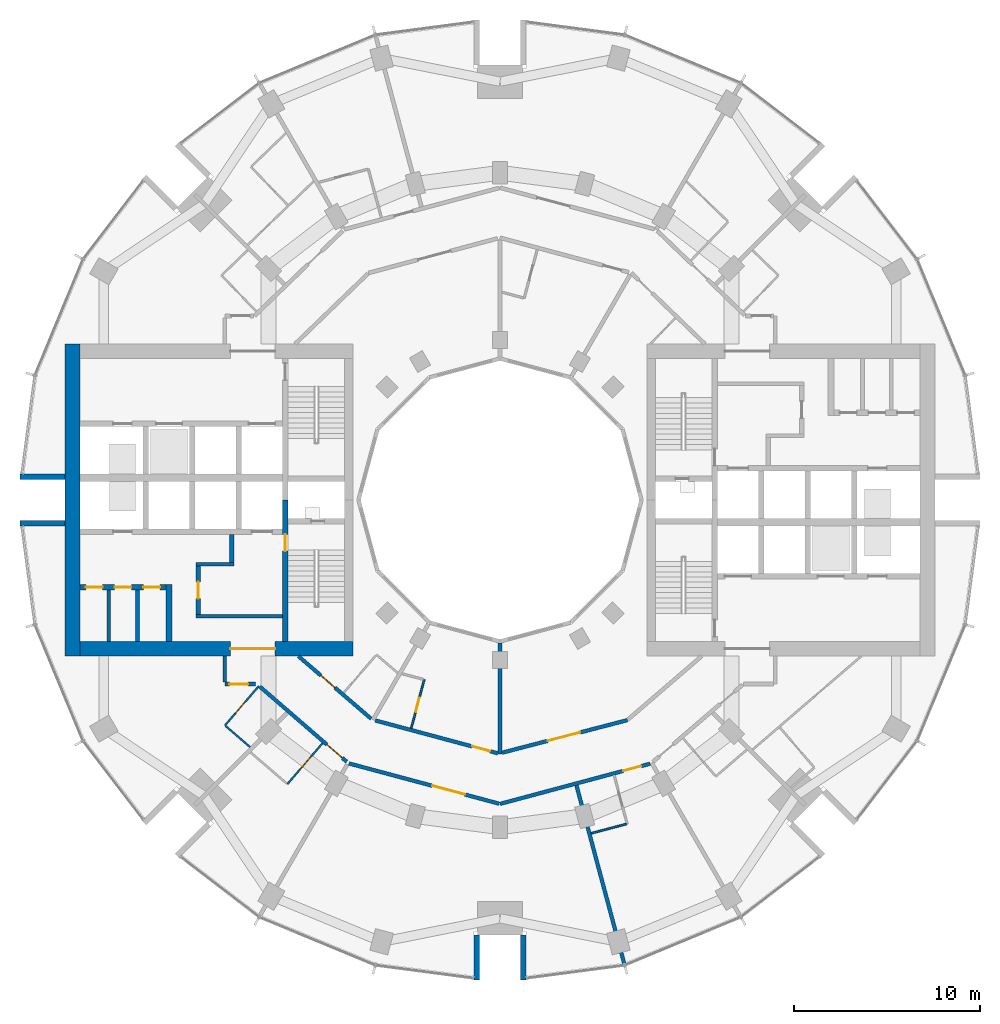
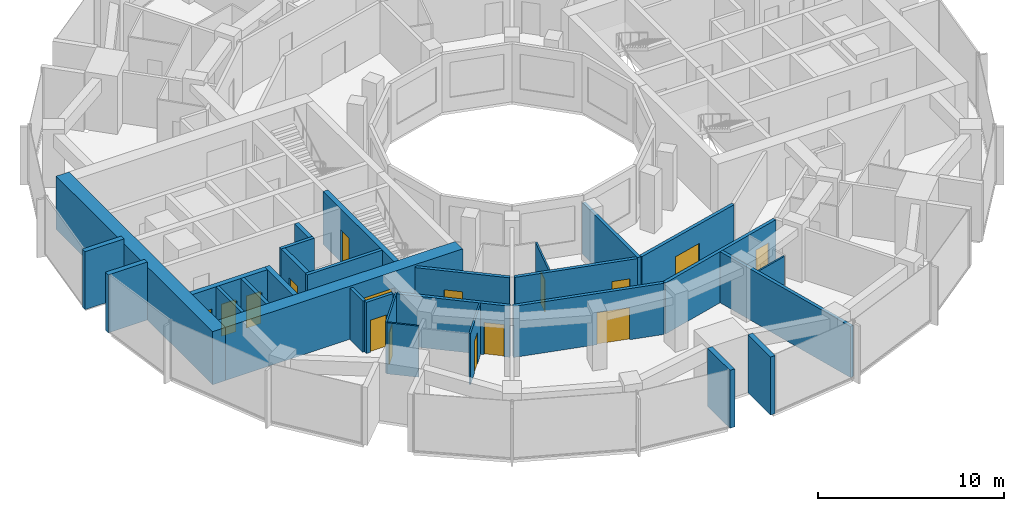
# One storey, part 8 of 15: 30 walls, 16 doors, 16 openings.
"""IFC4 building model written with IfcOpenShell, lengths in metres."""

from ifc_helpers import new_model, si_unit, direction, frame, frame_2d, origin, place, context, subcontext, project, spatial, rectangle, extrude, material, layer, layer_set, type_object, element, fill, save


model = new_model("IFC4")

# Units and contexts
model_context = context("Model", 3, precision=1e-05, world=origin(), true_north=direction((0.0, 1.0)))
body_context = subcontext(model_context, "Body", "Model", "MODEL_VIEW")
ifc_project = project(units=[si_unit("LENGTHUNIT", "METRE"), si_unit("AREAUNIT", "SQUARE_METRE"), si_unit("VOLUMEUNIT", "CUBIC_METRE"), si_unit("PLANEANGLEUNIT", "RADIAN"), si_unit("MASSUNIT", "GRAM", prefix="KILO")], contexts=[model_context])

# Site, building, storey
site_placement = place(None, origin())
site = spatial("IfcSite", under=ifc_project, at=site_placement, CompositionType="ELEMENT")
building_placement = place(site_placement, origin())
building = spatial("IfcBuilding", under=site, at=building_placement, Name="Torre Brocal", CompositionType="ELEMENT")
storey_placement = place(building_placement, frame((0.0, 0.0, 93.800048828125)))
storey = spatial("IfcBuildingStorey", under=building, at=storey_placement, Name="L21", CompositionType="ELEMENT", Elevation=93.800048828125)

# Walls
ifc_material_1 = material(Name="Masonry block", Category="masonry")
ifc_layer_1 = layer(ifc_material_1, 0.199951171875)
ifc_layer_set_1 = layer_set([ifc_layer_1], Name="Masonry block")
wall_type_1 = type_object("IfcWallType", Name="CORE PARTITION 200", PredefinedType="PARTITIONING", material=ifc_layer_set_1)
for number, where, z_axis, x_axis, name in (
    (1, (60.5, 70.14990234375, 0.0), (0.0, 0.0, 1.0), (0.0, -1.0, 0.0), "Wall CP200"),
    (2, (58.949951171875, 70.14990234375, 0.0), (0.0, 0.0, 1.0), (0.0, -1.0, 0.0), "Wall CP200"),
):
    element("IfcWall", number, at=place(storey_placement, frame(where, z_axis=z_axis, x_axis=x_axis)), inside=storey, type_object=wall_type_1, Name=name, PredefinedType="PARTITIONING", context=body_context, shape_type="SweptSolid", body=[
        extrude(rectangle(XDim=2.75, YDim=0.199951171875, at=frame_2d((1.375, 0.0))), origin(), (0.0, 0.0, 1.0), 3.47998046875),
    ])
ifc_material_2 = material(Name="Concrete C80", Category="concrete")
ifc_layer_2 = layer(ifc_material_2, 0.199951171875)
ifc_layer_set_2 = layer_set([ifc_layer_2], Name="Concrete C80")
wall_type_2 = type_object("IfcWallType", Name="CORE WALL 200 C80", PredefinedType="SHEAR", material=ifc_layer_set_2)
wall_1_placement = place(storey_placement, frame((68.300048828125, 68.75, 0.0), z_axis=(0.0, 0.0, 1.0), x_axis=(-1.0, 0.0, 0.0)))
element("IfcWall", 3, at=wall_1_placement, inside=storey, type_object=wall_type_2, Name="Wall CW200-80", PredefinedType="SHEAR", context=body_context, shape_type="SweptSolid", body=[
    extrude(rectangle(XDim=4.650146484375, YDim=0.199951171875, at=frame_2d((2.3251953125, 0.0))), origin(), (0.0, 0.0, 1.0), 3.47998046875),
])
wall_2_placement = place(storey_placement, frame((65.699951171875, 71.550048828125, 0.0), z_axis=(0.0, 0.0, 1.0), x_axis=(-1.0, 0.0, 0.0)))
element("IfcWall", 4, at=wall_2_placement, inside=storey, type_object=wall_type_2, Name="Wall CW200-80", PredefinedType="SHEAR", context=body_context, shape_type="SweptSolid", body=[
    extrude(rectangle(XDim=2.050048828125, YDim=0.199951171875, at=frame_2d((1.02490234375, 0.0))), origin(), (0.0, 0.0, 1.0), 3.47998046875),
])

# Wall, opening, door
ifc_material_3 = material(Name="Concrete C80", Category="concrete")
ifc_layer_3 = layer(ifc_material_3, 0.25)
ifc_layer_set_3 = layer_set([ifc_layer_3], Name="Concrete C80")
wall_type_3 = type_object("IfcWallType", Name="CORE WALL 250 C80", PredefinedType="SHEAR", material=ifc_layer_set_3)
wall_3_placement = place(storey_placement, frame((63.77490234375, 71.449951171875, 0.0), z_axis=(0.0, 0.0, 1.0), x_axis=(0.0, -1.0, 0.0)))
wall_3 = element("IfcWall", 5, at=wall_3_placement, inside=storey, type_object=wall_type_3, Name="Wall CW250-80", PredefinedType="SHEAR", context=body_context, shape_type="SweptSolid", body=[
    extrude(rectangle(XDim=2.599853515625, YDim=0.25, at=frame_2d((1.2998046875, 0.0))), origin(), (0.0, 0.0, 1.0), 3.47998046875),
])
opening_1_placement = place(wall_3_placement, frame((0.85009765625, 0.0, 0.0)))
opening_1 = element("IfcOpeningElement", 6, at=opening_1_placement, cuts=wall_3, Name="Opening W-D15", PredefinedType="OPENING", context=body_context, shape_type="SweptSolid", body=[
    extrude(rectangle(XDim=0.89990234375, YDim=2.10009765625, at=frame_2d((0.449951171875, 1.050048828125))), frame((0.0, 0.135009765625, 0.0), z_axis=(0.0, -1.0, 0.0), x_axis=(1.0, 0.0, 0.0)), (0.0, 0.0, 1.0), 0.27001953125),
])
ifc_material_4 = material(Name="Steel A653", Category="steel")
door_type_1 = type_object("IfcDoorType", Name="LOBBY DOOR FD120 900X2100", OperationType="SINGLE_SWING_RIGHT", PredefinedType="DOOR", material=ifc_material_4)
door_1_placement = place(opening_1_placement, origin())
door_1 = element("IfcDoor", 7, at=door_1_placement, inside=storey, type_object=door_type_1, Name="Door W-D15", OperationType="SINGLE_SWING_LEFT", OverallHeight=2.10009765625, OverallWidth=0.89990234375, PredefinedType="DOOR", context=body_context, shape_type="SweptSolid", body=[
    extrude(rectangle(XDim=0.89990234375, YDim=2.10009765625, at=frame_2d((0.449951171875, 1.050048828125))), frame((0.0, 0.02490234375, 0.0), z_axis=(0.0, -1.0, 0.0), x_axis=(1.0, 0.0, 0.0)), (0.0, 0.0, 1.0), 0.050048828125),
])
fill(opening_1, door_1)

# Wall
wall_4_placement = place(storey_placement, frame((65.574951171875, 73.14990234375, 0.0), z_axis=(0.0, 0.0, 1.0), x_axis=(0.0, -1.0, 0.0)))
element("IfcWall", 8, at=wall_4_placement, inside=storey, type_object=wall_type_3, Name="Wall CW250-80", PredefinedType="SHEAR", context=body_context, shape_type="SweptSolid", body=[
    extrude(rectangle(XDim=1.5, YDim=0.25, at=frame_2d((0.75, 0.0))), origin(), (0.0, 0.0, 1.0), 3.47998046875),
])

# Wall, opening, door
ifc_material_5 = material(Name="Concrete C80", Category="concrete")
ifc_layer_4 = layer(ifc_material_5, 0.300048828125)
ifc_layer_set_4 = layer_set([ifc_layer_4], Name="Concrete C80")
wall_type_4 = type_object("IfcWallType", Name="CORE WALL 300 C80", PredefinedType="SHEAR", material=ifc_layer_set_4)
wall_5_placement = place(storey_placement, frame((68.449951171875, 75.0, 0.0), z_axis=(0.0, 0.0, 1.0), x_axis=(0.0, -1.0, 0.0)))
wall_5 = element("IfcWall", 9, at=wall_5_placement, inside=storey, type_object=wall_type_4, Name="Wall CW300-80", PredefinedType="SHEAR", context=body_context, shape_type="SweptSolid", body=[
    extrude(rectangle(XDim=7.60009765625, YDim=0.300048828125, at=frame_2d((3.800048828125, 0.0))), origin(), (0.0, 0.0, 1.0), 3.47998046875),
])
opening_2_placement = place(wall_5_placement, frame((1.85009765625, 0.0, 0.0)))
opening_2 = element("IfcOpeningElement", 10, at=opening_2_placement, cuts=wall_5, Name="Opening W-D02", PredefinedType="OPENING", context=body_context, shape_type="SweptSolid", body=[
    extrude(rectangle(XDim=0.89990234375, YDim=2.10009765625, at=frame_2d((0.449951171875, 1.050048828125))), frame((0.0, 0.159912109375, 0.0), z_axis=(0.0, -1.0, 0.0), x_axis=(1.0, 0.0, 0.0)), (0.0, 0.0, 1.0), 0.320068359375),
])
ifc_material_6 = material(Name="Steel A653", Category="steel")
door_type_2 = type_object("IfcDoorType", Name="STAIR DOOR FD120 900X2100", OperationType="SINGLE_SWING_RIGHT", PredefinedType="DOOR", material=ifc_material_6)
door_2_placement = place(opening_2_placement, origin())
door_2 = element("IfcDoor", 11, at=door_2_placement, inside=storey, type_object=door_type_2, Name="Door W-D02", OperationType="SINGLE_SWING_LEFT", OverallHeight=2.10009765625, OverallWidth=0.89990234375, PredefinedType="DOOR", context=body_context, shape_type="SweptSolid", body=[
    extrude(rectangle(XDim=0.89990234375, YDim=2.10009765625, at=frame_2d((0.449951171875, 1.050048828125))), frame((0.0, 0.02490234375, 0.0), z_axis=(0.0, -1.0, 0.0), x_axis=(1.0, 0.0, 0.0)), (0.0, 0.0, 1.0), 0.050048828125),
])
fill(opening_2, door_2)

# Wall
wall_6_placement = place(storey_placement, frame((62.199951171875, 70.449951171875, 0.0), z_axis=(0.0, 0.0, 1.0), x_axis=(0.0, -1.0, 0.0)))
element("IfcWall", 12, at=wall_6_placement, inside=storey, type_object=wall_type_4, Name="Wall CW300-80", PredefinedType="SHEAR", context=body_context, shape_type="SweptSolid", body=[
    extrude(rectangle(XDim=3.050048828125, YDim=0.300048828125, at=frame_2d((1.52490234375, 0.0))), origin(), (0.0, 0.0, 1.0), 3.47998046875),
])

# Wall, openings, doors
wall_7_placement = place(storey_placement, frame((62.050048828125, 70.300048828125, 0.0), z_axis=(0.0, 0.0, 1.0), x_axis=(-1.0, 0.0, 0.0)))
wall_7 = element("IfcWall", 13, at=wall_7_placement, inside=storey, type_object=wall_type_4, Name="Wall CW300-80", PredefinedType="SHEAR", context=body_context, shape_type="SweptSolid", body=[
    extrude(rectangle(XDim=4.650146484375, YDim=0.300048828125, at=frame_2d((2.3251953125, 0.0))), origin(), (0.0, 0.0, 1.0), 3.47998046875),
])
opening_3_placement = place(wall_7_placement, frame((0.324951171875, 0.0, 0.0)))
opening_3 = element("IfcOpeningElement", 14, at=opening_3_placement, cuts=wall_7, Name="Opening W-D05", PredefinedType="OPENING", context=body_context, shape_type="SweptSolid", body=[
    extrude(rectangle(XDim=0.89990234375, YDim=2.10009765625, at=frame_2d((0.449951171875, 1.050048828125))), frame((0.0, 0.159912109375, 0.0), z_axis=(0.0, -1.0, 0.0), x_axis=(1.0, 0.0, 0.0)), (0.0, 0.0, 1.0), 0.320068359375),
])
opening_4_placement = place(wall_7_placement, frame((1.875, 0.0, 0.0)))
opening_4 = element("IfcOpeningElement", 15, at=opening_4_placement, cuts=wall_7, Name="Opening W-D06", PredefinedType="OPENING", context=body_context, shape_type="SweptSolid", body=[
    extrude(rectangle(XDim=0.89990234375, YDim=2.10009765625, at=frame_2d((0.449951171875, 1.050048828125))), frame((0.0, 0.159912109375, 0.0), z_axis=(0.0, -1.0, 0.0), x_axis=(1.0, 0.0, 0.0)), (0.0, 0.0, 1.0), 0.320068359375),
])
opening_5_placement = place(wall_7_placement, frame((3.425048828125, 0.0, 0.0)))
opening_5 = element("IfcOpeningElement", 16, at=opening_5_placement, cuts=wall_7, Name="Opening W-D07", PredefinedType="OPENING", context=body_context, shape_type="SweptSolid", body=[
    extrude(rectangle(XDim=0.89990234375, YDim=2.10009765625, at=frame_2d((0.449951171875, 1.050048828125))), frame((0.0, 0.159912109375, 0.0), z_axis=(0.0, -1.0, 0.0), x_axis=(1.0, 0.0, 0.0)), (0.0, 0.0, 1.0), 0.320068359375),
])
ifc_material_7 = material(Name="Steel A653", Category="steel")
door_type_3 = type_object("IfcDoorType", Name="ROOM DOOR FD30S 900X2100", OperationType="SINGLE_SWING_LEFT", PredefinedType="DOOR", material=ifc_material_7)
door_3_placement = place(opening_3_placement, origin())
door_3 = element("IfcDoor", 17, at=door_3_placement, inside=storey, type_object=door_type_3, Name="Door W-D05", OperationType="SINGLE_SWING_RIGHT", OverallHeight=2.10009765625, OverallWidth=0.89990234375, PredefinedType="DOOR", context=body_context, shape_type="SweptSolid", body=[
    extrude(rectangle(XDim=0.89990234375, YDim=2.10009765625, at=frame_2d((0.449951171875, 1.050048828125))), frame((0.0, 0.02490234375, 0.0), z_axis=(0.0, -1.0, 0.0), x_axis=(1.0, 0.0, 0.0)), (0.0, 0.0, 1.0), 0.050048828125),
])
fill(opening_3, door_3)
door_4_placement = place(opening_4_placement, origin())
door_4 = element("IfcDoor", 18, at=door_4_placement, inside=storey, type_object=door_type_3, Name="Door W-D06", OperationType="SINGLE_SWING_RIGHT", OverallHeight=2.10009765625, OverallWidth=0.89990234375, PredefinedType="DOOR", context=body_context, shape_type="SweptSolid", body=[
    extrude(rectangle(XDim=0.89990234375, YDim=2.10009765625, at=frame_2d((0.449951171875, 1.050048828125))), frame((0.0, 0.02490234375, 0.0), z_axis=(0.0, -1.0, 0.0), x_axis=(1.0, 0.0, 0.0)), (0.0, 0.0, 1.0), 0.050048828125),
])
fill(opening_4, door_4)
door_5_placement = place(opening_5_placement, origin())
door_5 = element("IfcDoor", 19, at=door_5_placement, inside=storey, type_object=door_type_3, Name="Door W-D07", OperationType="SINGLE_SWING_LEFT", OverallHeight=2.10009765625, OverallWidth=0.89990234375, PredefinedType="DOOR", context=body_context, shape_type="SweptSolid", body=[
    extrude(rectangle(XDim=0.89990234375, YDim=2.10009765625, at=frame_2d((0.449951171875, 1.050048828125))), frame((0.0, 0.02490234375, 0.0), z_axis=(0.0, -1.0, 0.0), x_axis=(1.0, 0.0, 0.0)), (0.0, 0.0, 1.0), 0.050048828125),
])
fill(opening_5, door_5)

# Wall, opening, door
ifc_material_8 = material(Name="Concrete C80", Category="concrete")
ifc_layer_5 = layer(ifc_material_8, 0.800048828125)
ifc_layer_set_5 = layer_set([ifc_layer_5], Name="Concrete C80")
wall_type_5 = type_object("IfcWallType", Name="CORE WALL 800 C80", PredefinedType="SHEAR", material=ifc_layer_set_5)
wall_8_placement = place(storey_placement, frame((72.10009765625, 67.0, 0.0), z_axis=(0.0, 0.0, 1.0), x_axis=(-1.0, 0.0, 0.0)))
wall_8 = element("IfcWall", 20, at=wall_8_placement, inside=storey, type_object=wall_type_5, Name="Wall CW800-80", PredefinedType="SHEAR", context=body_context, shape_type="SweptSolid", body=[
    extrude(rectangle(XDim=14.7001953125, YDim=0.800048828125, at=frame_2d((7.35009765625, 0.0))), origin(), (0.0, 0.0, 1.0), 3.47998046875),
])
opening_6_placement = place(wall_8_placement, frame((4.199951171875, 0.0, 0.0)))
opening_6 = element("IfcOpeningElement", 21, at=opening_6_placement, cuts=wall_8, Name="Opening W-D27", PredefinedType="OPENING", context=body_context, shape_type="SweptSolid", body=[
    extrude(rectangle(XDim=2.39990234375, YDim=2.39990234375, at=frame_2d((1.199951171875, 1.199951171875))), frame((0.0, 0.409912109375, 0.0), z_axis=(0.0, -1.0, 0.0), x_axis=(1.0, 0.0, 0.0)), (0.0, 0.0, 1.0), 0.820068359375),
])
ifc_material_9 = material(Name="Steel A653", Category="steel")
door_type_4 = type_object("IfcDoorType", Name="DOUBLE FIRE DOOR FD90 2400X2400", OperationType="DOUBLE_DOOR_SINGLE_SWING", PredefinedType="DOOR", material=ifc_material_9)
door_6_placement = place(opening_6_placement, frame((2.39990234375, 0.0, 0.0), z_axis=(0.0, 0.0, 1.0), x_axis=(-1.0, 0.0, 0.0)))
door_6 = element("IfcDoor", 22, at=door_6_placement, inside=storey, type_object=door_type_4, Name="Door W-D27", OperationType="DOUBLE_DOOR_SINGLE_SWING", OverallHeight=2.39990234375, OverallWidth=2.39990234375, PredefinedType="DOOR", context=body_context, shape_type="SweptSolid", body=[
    extrude(rectangle(XDim=2.39990234375, YDim=2.39990234375, at=frame_2d((1.199951171875, 1.199951171875))), frame((0.0, 0.02490234375, 0.0), z_axis=(0.0, -1.0, 0.0), x_axis=(1.0, 0.0, 0.0)), (0.0, 0.0, 1.0), 0.050048828125),
])
fill(opening_6, door_6)

# Walls
wall_9_placement = place(storey_placement, frame((57.0, 83.39990234375, 0.0), z_axis=(0.0, 0.0, 1.0), x_axis=(0.0, -1.0, 0.0)))
element("IfcWall", 23, at=wall_9_placement, inside=storey, type_object=wall_type_5, Name="Wall CW800-80", PredefinedType="SHEAR", context=body_context, shape_type="SweptSolid", body=[
    extrude(rectangle(XDim=16.7998046875, YDim=0.800048828125, at=frame_2d((8.39990234375, 0.0))), origin(), (0.0, 0.0, 1.0), 3.47998046875),
])
ifc_material_10 = material(Name="Concrete C80", Category="concrete")
ifc_layer_6 = layer(ifc_material_10, 0.300048828125)
ifc_layer_set_6 = layer_set([ifc_layer_6], Name="Concrete C80")
wall_type_6 = type_object("IfcWallType", Name="NOTCH RETURN WALL 300 C80", PredefinedType="NOTDEFINED", material=ifc_layer_set_6)
for number, where, z_axis, x_axis, name in (
    (24, (56.60009765625, 76.25, 0.0), (0.0, 0.0, 1.0), (-1.0, 0.0, 0.0), "NOTCH RETURN WALL"),
    (25, (56.60009765625, 73.75, 0.0), (0.0, 0.0, 1.0), (-1.0, 0.0, 0.0), "NOTCH RETURN WALL"),
    (26, (78.75, 51.60009765625, 0.0), (0.0, 0.0, 1.0), (0.0, -1.0, 0.0), "NOTCH RETURN WALL"),
    (27, (81.25, 51.60009765625, 0.0), (0.0, 0.0, 1.0), (0.0, -1.0, 0.0), "NOTCH RETURN WALL"),
):
    element("IfcWall", number, at=place(storey_placement, frame(where, z_axis=z_axis, x_axis=x_axis)), inside=storey, type_object=wall_type_6, Name=name, PredefinedType="NOTDEFINED", context=body_context, shape_type="SweptSolid", body=[
        extrude(rectangle(XDim=2.415771484375, YDim=0.300048828125, at=frame_2d((1.2080078125, 0.0))), origin(), (0.0, 0.0, 1.0), 3.800048828125),
    ])
ifc_material_11 = material(Name="Gypsum board", Category="Gypsum")
ifc_layer_7 = layer(ifc_material_11, 0.10009765625)
ifc_layer_set_7 = layer_set([ifc_layer_7], Name="Gypsum board")
wall_type_7 = type_object("IfcWallType", Name="PARTITION 100", PredefinedType="PARTITIONING", material=ifc_layer_set_7)
wall_10_placement = place(storey_placement, frame((65.245849609375, 62.84228515625, 0.0), z_axis=(0.0, 0.0, 1.0), x_axis=(0.758030338995, -0.652219292234, 0.0)))
element("IfcWall", 28, at=wall_10_placement, inside=storey, type_object=wall_type_7, Name="BATHROOM WALL", PredefinedType="PARTITIONING", context=body_context, shape_type="SweptSolid", body=[
    extrude(rectangle(XDim=1.73046875, YDim=0.10009765625, at=frame_2d((0.865234375, 0.0))), origin(), (0.0, 0.0, 1.0), 3.349853515625),
])

# Wall, opening, door
wall_11_placement = place(storey_placement, frame((65.2080078125, 62.875, 0.0), z_axis=(0.0, 0.0, 1.0), x_axis=(0.65205430601, 0.758172264076, 0.0)))
wall_11 = element("IfcWall", 29, at=wall_11_placement, inside=storey, type_object=wall_type_7, Name="BATHROOM WALL", PredefinedType="PARTITIONING", context=body_context, shape_type="SweptSolid", body=[
    extrude(rectangle(XDim=2.7998046875, YDim=0.10009765625, at=frame_2d((1.39990234375, 0.0))), origin(), (0.0, 0.0, 1.0), 3.349853515625),
])
opening_7_placement = place(wall_11_placement, frame((0.85009765625, 0.0, 0.0)))
opening_7 = element("IfcOpeningElement", 30, at=opening_7_placement, cuts=wall_11, Name="Opening H06-D29", PredefinedType="OPENING", context=body_context, shape_type="SweptSolid", body=[
    extrude(rectangle(XDim=0.800048828125, YDim=2.10009765625, at=frame_2d((0.39990234375, 1.050048828125))), frame((0.0, 0.06005859375, 0.0), z_axis=(0.0, -1.0, 0.0), x_axis=(1.0, 0.0, 0.0)), (0.0, 0.0, 1.0), 0.1201171875),
])
ifc_material_12 = material(Name="Timber", Category="wood")
door_type_5 = type_object("IfcDoorType", Name="BATHROOM DOOR 800X2100", OperationType="SINGLE_SWING_LEFT", PredefinedType="DOOR", material=ifc_material_12)
door_7_placement = place(opening_7_placement, frame((0.800048828125, 0.0, 0.0), z_axis=(0.0, 0.0, 1.0), x_axis=(-1.0, 0.0, 0.0)))
door_7 = element("IfcDoor", 31, at=door_7_placement, inside=storey, type_object=door_type_5, Name="H06-D29", OperationType="SINGLE_SWING_RIGHT", OverallHeight=2.10009765625, OverallWidth=0.800048828125, PredefinedType="DOOR", context=body_context, shape_type="SweptSolid", body=[
    extrude(rectangle(XDim=0.800048828125, YDim=2.10009765625, at=frame_2d((0.39990234375, 1.050048828125))), frame((0.0, 0.02490234375, 0.0), z_axis=(0.0, -1.0, 0.0), x_axis=(1.0, 0.0, 0.0)), (0.0, 0.0, 1.0), 0.050048828125),
])
fill(opening_7, door_7)

wall_12_placement = place(storey_placement, frame((68.56591796875, 59.721923828125, 0.0), z_axis=(0.0, 0.0, 1.0), x_axis=(0.65193146671, 0.758277892803, 0.0)))
wall_12 = element("IfcWall", 32, at=wall_12_placement, inside=storey, type_object=wall_type_7, Name="BATHROOM WALL", PredefinedType="PARTITIONING", context=body_context, shape_type="SweptSolid", body=[
    extrude(rectangle(XDim=2.890380859375, YDim=0.10009765625, at=frame_2d((1.4453125, 0.0))), origin(), (0.0, 0.0, 1.0), 3.349853515625),
])
opening_8_placement = place(wall_12_placement, frame((1.050048828125, 0.0, 0.0)))
opening_8 = element("IfcOpeningElement", 33, at=opening_8_placement, cuts=wall_12, Name="Opening H06-D27", PredefinedType="OPENING", context=body_context, shape_type="SweptSolid", body=[
    extrude(rectangle(XDim=0.89990234375, YDim=2.10009765625, at=frame_2d((0.449951171875, 1.050048828125))), frame((0.0, 0.06005859375, 0.0), z_axis=(0.0, -1.0, 0.0), x_axis=(1.0, 0.0, 0.0)), (0.0, 0.0, 1.0), 0.1201171875),
])
ifc_material_13 = material(Name="Timber", Category="wood")
door_type_6 = type_object("IfcDoorType", Name="ACCESSIBLE BATHROOM DOOR 900X2100", OperationType="SINGLE_SWING_LEFT", PredefinedType="DOOR", material=ifc_material_13)
door_8_placement = place(opening_8_placement, origin())
door_8 = element("IfcDoor", 34, at=door_8_placement, inside=storey, type_object=door_type_6, Name="H06-D27", OperationType="SINGLE_SWING_RIGHT", OverallHeight=2.10009765625, OverallWidth=0.89990234375, PredefinedType="DOOR", context=body_context, shape_type="SweptSolid", body=[
    extrude(rectangle(XDim=0.89990234375, YDim=2.10009765625, at=frame_2d((0.449951171875, 1.050048828125))), frame((0.0, 0.02490234375, 0.0), z_axis=(0.0, -1.0, 0.0), x_axis=(1.0, 0.0, 0.0)), (0.0, 0.0, 1.0), 0.050048828125),
])
fill(opening_8, door_8)

wall_13_placement = place(storey_placement, frame((75.226806640625, 62.728759765625, 0.0), z_axis=(0.0, 0.0, 1.0), x_axis=(0.258945475746, 0.965891940432, 0.0)))
wall_13 = element("IfcWall", 35, at=wall_13_placement, inside=storey, type_object=wall_type_7, Name="BATHROOM WALL", PredefinedType="PARTITIONING", context=body_context, shape_type="SweptSolid", body=[
    extrude(rectangle(XDim=2.7001953125, YDim=0.10009765625, at=frame_2d((1.35009765625, 0.0))), origin(), (0.0, 0.0, 1.0), 3.349853515625),
])
opening_9_placement = place(wall_13_placement, frame((0.900146484375, 0.0, 0.0)))
opening_9 = element("IfcOpeningElement", 36, at=opening_9_placement, cuts=wall_13, Name="Opening H06-D32", PredefinedType="OPENING", context=body_context, shape_type="SweptSolid", body=[
    extrude(rectangle(XDim=0.800048828125, YDim=2.10009765625, at=frame_2d((0.39990234375, 1.050048828125))), frame((0.0, 0.06005859375, 0.0), z_axis=(0.0, -1.0, 0.0), x_axis=(1.0, 0.0, 0.0)), (0.0, 0.0, 1.0), 0.1201171875),
])
door_9_placement = place(opening_9_placement, origin())
door_9 = element("IfcDoor", 37, at=door_9_placement, inside=storey, type_object=door_type_5, Name="H06-D32", OperationType="SINGLE_SWING_LEFT", OverallHeight=2.10009765625, OverallWidth=0.800048828125, PredefinedType="DOOR", context=body_context, shape_type="SweptSolid", body=[
    extrude(rectangle(XDim=0.800048828125, YDim=2.10009765625, at=frame_2d((0.39990234375, 1.050048828125))), frame((0.0, 0.02490234375, 0.0), z_axis=(0.0, -1.0, 0.0), x_axis=(1.0, 0.0, 0.0)), (0.0, 0.0, 1.0), 0.050048828125),
])
fill(opening_9, door_9)

# Walls
wall_14_placement = place(storey_placement, frame((84.90771484375, 57.06982421875, 0.0), z_axis=(0.0, 0.0, 1.0), x_axis=(0.965853538138, 0.25908867761, 0.0)))
element("IfcWall", 38, at=wall_14_placement, inside=storey, type_object=wall_type_7, Name="BATHROOM WALL", PredefinedType="PARTITIONING", context=body_context, shape_type="SweptSolid", body=[
    extrude(rectangle(XDim=1.94970703125, YDim=0.10009765625, at=frame_2d((0.974853515625, 0.0))), origin(), (0.0, 0.0, 1.0), 3.349853515625),
])
ifc_material_14 = material(Name="Gypsum board", Category="Gypsum")
ifc_layer_8 = layer(ifc_material_14, 0.199951171875)
ifc_layer_set_8 = layer_set([ifc_layer_8], Name="Gypsum board")
wall_type_8 = type_object("IfcWallType", Name="PARTITION 200 EI60", PredefinedType="PARTITIONING", material=ifc_layer_set_8)
wall_15_placement = place(storey_placement, frame((65.199951171875, 65.199951171875, 0.0), z_axis=(0.0, 0.0, 1.0), x_axis=(0.0, 1.0, 0.0)))
element("IfcWall", 39, at=wall_15_placement, inside=storey, type_object=wall_type_8, Name="GUESTROOM CORRIDOR WALL", PredefinedType="PARTITIONING", context=body_context, shape_type="SweptSolid", body=[
    extrude(rectangle(XDim=1.399169921875, YDim=0.199951171875, at=frame_2d((0.69970703125, 0.0))), origin(), (0.0, 0.0, 1.0), 3.349853515625),
])

# Wall, opening, door
wall_16_placement = place(storey_placement, frame((65.199951171875, 65.10009765625, 0.0), z_axis=(0.0, 0.0, 1.0), x_axis=(1.0, 0.0, 0.0)))
wall_16 = element("IfcWall", 40, at=wall_16_placement, inside=storey, type_object=wall_type_8, Name="GUESTROOM CORRIDOR WALL", PredefinedType="PARTITIONING", context=body_context, shape_type="SweptSolid", body=[
    extrude(rectangle(XDim=1.655029296875, YDim=0.199951171875, at=frame_2d((0.82763671875, 0.0))), origin(), (0.0, 0.0, 1.0), 3.349853515625),
])
opening_10_placement = place(wall_16_placement, frame((0.25, 0.0, 0.0)))
opening_10 = element("IfcOpeningElement", 41, at=opening_10_placement, cuts=wall_16, Name="Opening H06-D28", PredefinedType="OPENING", context=body_context, shape_type="SweptSolid", body=[
    extrude(rectangle(XDim=1.0, YDim=2.10009765625, at=frame_2d((0.5, 1.050048828125))), frame((0.0, 0.10986328125, 0.0), z_axis=(0.0, -1.0, 0.0), x_axis=(1.0, 0.0, 0.0)), (0.0, 0.0, 1.0), 0.219970703125),
])
ifc_material_15 = material(Name="Timber", Category="wood")
door_type_7 = type_object("IfcDoorType", Name="FLAT ENTRY DOOR FD30S 1000X2100", OperationType="SINGLE_SWING_RIGHT", PredefinedType="DOOR", material=ifc_material_15)
door_10_placement = place(opening_10_placement, frame((1.0, 0.0, 0.0), z_axis=(0.0, 0.0, 1.0), x_axis=(-1.0, 0.0, 0.0)))
door_10 = element("IfcDoor", 42, at=door_10_placement, inside=storey, type_object=door_type_7, Name="H06-D28", OperationType="SINGLE_SWING_RIGHT", OverallHeight=2.10009765625, OverallWidth=1.0, PredefinedType="DOOR", context=body_context, shape_type="SweptSolid", body=[
    extrude(rectangle(XDim=1.0, YDim=2.10009765625, at=frame_2d((0.5, 1.050048828125))), frame((0.0, 0.02490234375, 0.0), z_axis=(0.0, -1.0, 0.0), x_axis=(1.0, 0.0, 0.0)), (0.0, 0.0, 1.0), 0.050048828125),
])
fill(opening_10, door_10)

wall_17_placement = place(storey_placement, frame((67.07861328125, 64.968017578125, 0.0), z_axis=(0.0, 0.0, 1.0), x_axis=(0.756371089567, -0.654142778656, 0.0)))
wall_17 = element("IfcWall", 43, at=wall_17_placement, inside=storey, type_object=wall_type_8, Name="GUESTROOM CORRIDOR WALL", PredefinedType="PARTITIONING", context=body_context, shape_type="SweptSolid", body=[
    extrude(rectangle(XDim=6.185302734375, YDim=0.199951171875, at=frame_2d((3.0927734375, 0.0))), origin(), (0.0, 0.0, 1.0), 3.349853515625),
])
opening_11_placement = place(wall_17_placement, frame((4.7783203125, 0.0, 0.0)))
opening_11 = element("IfcOpeningElement", 44, at=opening_11_placement, cuts=wall_17, Name="Opening H06-D26", PredefinedType="OPENING", context=body_context, shape_type="SweptSolid", body=[
    extrude(rectangle(XDim=1.10009765625, YDim=2.10009765625, at=frame_2d((0.550048828125, 1.050048828125))), frame((0.0, 0.10986328125, 0.0), z_axis=(0.0, -1.0, 0.0), x_axis=(1.0, 0.0, 0.0)), (0.0, 0.0, 1.0), 0.219970703125),
])
ifc_material_16 = material(Name="Timber", Category="wood")
door_type_8 = type_object("IfcDoorType", Name="ACCESSIBLE ENTRY DOOR FD30S 1100X2100", OperationType="SINGLE_SWING_RIGHT", PredefinedType="DOOR", material=ifc_material_16)
door_11_placement = place(opening_11_placement, frame((1.10009765625, 0.0, 0.0), z_axis=(0.0, 0.0, 1.0), x_axis=(-1.0, 0.0, 0.0)))
door_11 = element("IfcDoor", 45, at=door_11_placement, inside=storey, type_object=door_type_8, Name="H06-D26", OperationType="SINGLE_SWING_RIGHT", OverallHeight=2.10009765625, OverallWidth=1.10009765625, PredefinedType="DOOR", context=body_context, shape_type="SweptSolid", body=[
    extrude(rectangle(XDim=1.10009765625, YDim=2.10009765625, at=frame_2d((0.550048828125, 1.050048828125))), frame((0.0, 0.02490234375, 0.0), z_axis=(0.0, -1.0, 0.0), x_axis=(1.0, 0.0, 0.0)), (0.0, 0.0, 1.0), 0.050048828125),
])
fill(opening_11, door_11)

wall_18_placement = place(storey_placement, frame((69.158203125, 66.60009765625, 0.0), z_axis=(0.0, 0.0, 1.0), x_axis=(0.757976058094, -0.652282373943, 0.0)))
wall_18 = element("IfcWall", 46, at=wall_18_placement, inside=storey, type_object=wall_type_8, Name="GUESTROOM CORRIDOR WALL", PredefinedType="PARTITIONING", context=body_context, shape_type="SweptSolid", body=[
    extrude(rectangle(XDim=5.160400390625, YDim=0.199951171875, at=frame_2d((2.580078125, 0.0))), origin(), (0.0, 0.0, 1.0), 3.349853515625),
])
opening_12_placement = place(wall_18_placement, frame((1.60009765625, 0.0, 0.0)))
opening_12 = element("IfcOpeningElement", 47, at=opening_12_placement, cuts=wall_18, Name="Opening H06-D33", PredefinedType="OPENING", context=body_context, shape_type="SweptSolid", body=[
    extrude(rectangle(XDim=1.0, YDim=2.10009765625, at=frame_2d((0.5, 1.050048828125))), frame((0.0, 0.10986328125, 0.0), z_axis=(0.0, -1.0, 0.0), x_axis=(1.0, 0.0, 0.0)), (0.0, 0.0, 1.0), 0.219970703125),
])
door_12_placement = place(opening_12_placement, origin())
door_12 = element("IfcDoor", 48, at=door_12_placement, inside=storey, type_object=door_type_7, Name="H06-D33", OperationType="SINGLE_SWING_RIGHT", OverallHeight=2.10009765625, OverallWidth=1.0, PredefinedType="DOOR", context=body_context, shape_type="SweptSolid", body=[
    extrude(rectangle(XDim=1.0, YDim=2.10009765625, at=frame_2d((0.5, 1.050048828125))), frame((0.0, 0.02490234375, 0.0), z_axis=(0.0, -1.0, 0.0), x_axis=(1.0, 0.0, 0.0)), (0.0, 0.0, 1.0), 0.050048828125),
])
fill(opening_12, door_12)

wall_19_placement = place(storey_placement, frame((71.876953125, 60.8310546875, 0.0), z_axis=(0.0, 0.0, 1.0), x_axis=(0.965905026676, -0.258896657842, 0.0)))
wall_19 = element("IfcWall", 49, at=wall_19_placement, inside=storey, type_object=wall_type_8, Name="CORRIDOR WALL", PredefinedType="PARTITIONING", context=body_context, shape_type="SweptSolid", body=[
    extrude(rectangle(XDim=8.359619140625, YDim=0.199951171875, at=frame_2d((4.1796875, 0.0))), origin(), (0.0, 0.0, 1.0), 3.349853515625),
])
opening_13_placement = place(wall_19_placement, frame((4.65478515625, 0.0, 0.0)))
opening_13 = element("IfcOpeningElement", 50, at=opening_13_placement, cuts=wall_19, Name="Opening H06-D25", PredefinedType="OPENING", context=body_context, shape_type="SweptSolid", body=[
    extrude(rectangle(XDim=1.800048828125, YDim=2.10009765625, at=frame_2d((0.89990234375, 1.050048828125))), frame((0.0, 0.10986328125, 0.0), z_axis=(0.0, -1.0, 0.0), x_axis=(1.0, 0.0, 0.0)), (0.0, 0.0, 1.0), 0.219970703125),
])
ifc_material_17 = material(Name="Timber", Category="wood")
door_type_9 = type_object("IfcDoorType", Name="DOUBLE DOOR 1800X2100", OperationType="DOUBLE_DOOR_SINGLE_SWING", PredefinedType="DOOR", material=ifc_material_17)
door_13_placement = place(opening_13_placement, frame((1.800048828125, 0.0, 0.0), z_axis=(0.0, 0.0, 1.0), x_axis=(-1.0, 0.0, 0.0)))
door_13 = element("IfcDoor", 51, at=door_13_placement, inside=storey, type_object=door_type_9, Name="H06-D25", OperationType="DOUBLE_DOOR_SINGLE_SWING", OverallHeight=2.10009765625, OverallWidth=1.800048828125, PredefinedType="DOOR", context=body_context, shape_type="SweptSolid", body=[
    extrude(rectangle(XDim=1.800048828125, YDim=2.10009765625, at=frame_2d((0.89990234375, 1.050048828125))), frame((0.0, 0.02490234375, 0.0), z_axis=(0.0, -1.0, 0.0), x_axis=(1.0, 0.0, 0.0)), (0.0, 0.0, 1.0), 0.050048828125),
])
fill(opening_13, door_13)

wall_20_placement = place(storey_placement, frame((73.296875, 63.142578125, 0.0), z_axis=(0.0, 0.0, 1.0), x_axis=(0.965859030528, -0.25906820173, 0.0)))
wall_20 = element("IfcWall", 52, at=wall_20_placement, inside=storey, type_object=wall_type_8, Name="GUESTROOM CORRIDOR WALL", PredefinedType="PARTITIONING", context=body_context, shape_type="SweptSolid", body=[
    extrude(rectangle(XDim=6.8095703125, YDim=0.199951171875, at=frame_2d((3.40478515625, 0.0))), origin(), (0.0, 0.0, 1.0), 3.349853515625),
])
opening_14_placement = place(wall_20_placement, frame((5.3896484375, 0.0, 0.0)))
opening_14 = element("IfcOpeningElement", 53, at=opening_14_placement, cuts=wall_20, Name="Opening H06-D31", PredefinedType="OPENING", context=body_context, shape_type="SweptSolid", body=[
    extrude(rectangle(XDim=1.0, YDim=2.10009765625, at=frame_2d((0.5, 1.050048828125))), frame((0.0, 0.10986328125, 0.0), z_axis=(0.0, -1.0, 0.0), x_axis=(1.0, 0.0, 0.0)), (0.0, 0.0, 1.0), 0.219970703125),
])
door_14_placement = place(opening_14_placement, origin())
door_14 = element("IfcDoor", 54, at=door_14_placement, inside=storey, type_object=door_type_7, Name="H06-D31", OperationType="SINGLE_SWING_RIGHT", OverallHeight=2.10009765625, OverallWidth=1.0, PredefinedType="DOOR", context=body_context, shape_type="SweptSolid", body=[
    extrude(rectangle(XDim=1.0, YDim=2.10009765625, at=frame_2d((0.5, 1.050048828125))), frame((0.0, 0.02490234375, 0.0), z_axis=(0.0, -1.0, 0.0), x_axis=(1.0, 0.0, 0.0)), (0.0, 0.0, 1.0), 0.050048828125),
])
fill(opening_14, door_14)

wall_21_placement = place(storey_placement, frame((80.11865234375, 61.409912109375, 0.0), z_axis=(0.0, 0.0, 1.0), x_axis=(0.967823361235, 0.251630565408, 0.0)))
wall_21 = element("IfcWall", 55, at=wall_21_placement, inside=storey, type_object=wall_type_8, Name="GUESTROOM CORRIDOR WALL", PredefinedType="PARTITIONING", context=body_context, shape_type="SweptSolid", body=[
    extrude(rectangle(XDim=6.95849609375, YDim=0.199951171875, at=frame_2d((3.479248046875, 0.0))), origin(), (0.0, 0.0, 1.0), 3.349853515625),
])
opening_15_placement = place(wall_21_placement, frame((2.52880859375, 0.0, 0.0)))
opening_15 = element("IfcOpeningElement", 56, at=opening_15_placement, cuts=wall_21, Name="Opening H06-D30", PredefinedType="OPENING", context=body_context, shape_type="SweptSolid", body=[
    extrude(rectangle(XDim=1.800048828125, YDim=2.10009765625, at=frame_2d((0.89990234375, 1.050048828125))), frame((0.0, 0.10986328125, 0.0), z_axis=(0.0, -1.0, 0.0), x_axis=(1.0, 0.0, 0.0)), (0.0, 0.0, 1.0), 0.219970703125),
])
door_15_placement = place(opening_15_placement, origin())
door_15 = element("IfcDoor", 57, at=door_15_placement, inside=storey, type_object=door_type_9, Name="H06-D30", OperationType="DOUBLE_DOOR_SINGLE_SWING", OverallHeight=2.10009765625, OverallWidth=1.800048828125, PredefinedType="DOOR", context=body_context, shape_type="SweptSolid", body=[
    extrude(rectangle(XDim=1.800048828125, YDim=2.10009765625, at=frame_2d((0.89990234375, 1.050048828125))), frame((0.0, 0.02490234375, 0.0), z_axis=(0.0, -1.0, 0.0), x_axis=(1.0, 0.0, 0.0)), (0.0, 0.0, 1.0), 0.050048828125),
])
fill(opening_15, door_15)

wall_22_placement = place(storey_placement, frame((79.999755859375, 58.65478515625, 0.0), z_axis=(0.0, 0.0, 1.0), x_axis=(0.965967338894, 0.258664068224, 0.0)))
wall_22 = element("IfcWall", 58, at=wall_22_placement, inside=storey, type_object=wall_type_8, Name="GUESTROOM CORRIDOR WALL", PredefinedType="PARTITIONING", context=body_context, shape_type="SweptSolid", body=[
    extrude(rectangle(XDim=8.359619140625, YDim=0.199951171875, at=frame_2d((4.1796875, 0.0))), origin(), (0.0, 0.0, 1.0), 3.349853515625),
])
opening_16_placement = place(wall_22_placement, frame((6.859619140625, 0.0, 0.0)))
opening_16 = element("IfcOpeningElement", 59, at=opening_16_placement, cuts=wall_22, Name="Opening H06-D23", PredefinedType="OPENING", context=body_context, shape_type="SweptSolid", body=[
    extrude(rectangle(XDim=1.0, YDim=2.10009765625, at=frame_2d((0.5, 1.050048828125))), frame((0.0, 0.10986328125, 0.0), z_axis=(0.0, -1.0, 0.0), x_axis=(1.0, 0.0, 0.0)), (0.0, 0.0, 1.0), 0.219970703125),
])
door_16_placement = place(opening_16_placement, frame((1.0, 0.0, 0.0), z_axis=(0.0, 0.0, 1.0), x_axis=(-1.0, 0.0, 0.0)))
door_16 = element("IfcDoor", 60, at=door_16_placement, inside=storey, type_object=door_type_7, Name="H06-D23", OperationType="SINGLE_SWING_RIGHT", OverallHeight=2.10009765625, OverallWidth=1.0, PredefinedType="DOOR", context=body_context, shape_type="SweptSolid", body=[
    extrude(rectangle(XDim=1.0, YDim=2.10009765625, at=frame_2d((0.5, 1.050048828125))), frame((0.0, 0.02490234375, 0.0), z_axis=(0.0, -1.0, 0.0), x_axis=(1.0, 0.0, 0.0)), (0.0, 0.0, 1.0), 0.050048828125),
])
fill(opening_16, door_16)

# Walls
wall_23_placement = place(storey_placement, frame((80.0, 61.346923828125, 0.0), z_axis=(0.0, 0.0, 1.0), x_axis=(0.0, 1.0, 0.0)))
element("IfcWall", 61, at=wall_23_placement, inside=storey, type_object=wall_type_8, Name="PARTY PARTITION", PredefinedType="PARTITIONING", context=body_context, shape_type="SweptSolid", body=[
    extrude(rectangle(XDim=5.953125, YDim=0.199951171875, at=frame_2d((2.9765625, 0.0))), origin(), (0.0, 0.0, 1.0), 3.349853515625),
])
wall_24_placement = place(storey_placement, frame((84.112060546875, 59.65234375, 0.0), z_axis=(0.0, 0.0, 1.0), x_axis=(0.258792739659, -0.965932874428, 0.0)))
element("IfcWall", 62, at=wall_24_placement, inside=storey, type_object=wall_type_8, Name="BATHROOM WALL", PredefinedType="PARTITIONING", context=body_context, shape_type="SweptSolid", body=[
    extrude(rectangle(XDim=9.908447265625, YDim=0.199951171875, at=frame_2d((4.9541015625, 0.0))), origin(), (0.0, 0.0, 1.0), 3.349853515625),
])

save(model, "model.ifc")
